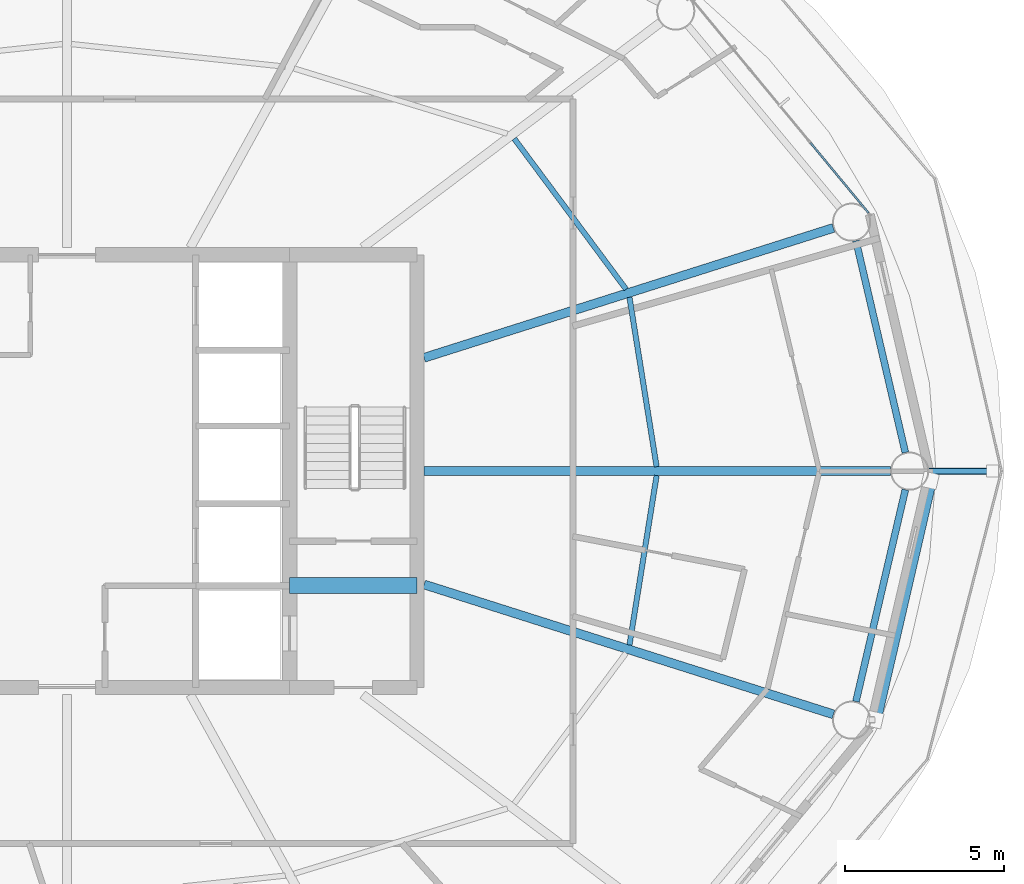
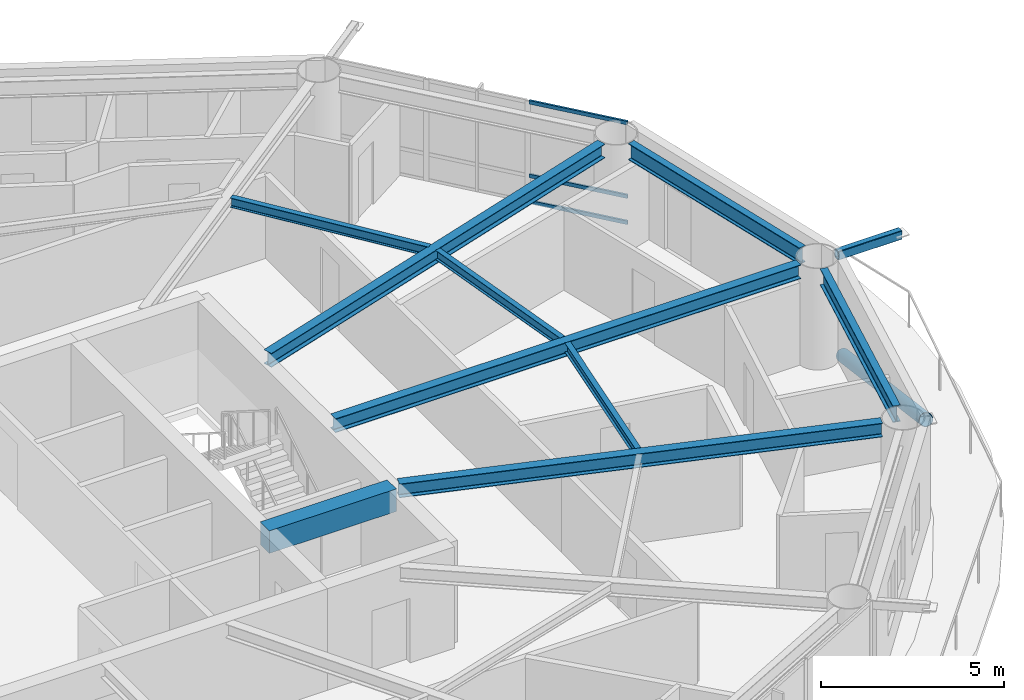
# One storey, part 8 of 27: 9 beams, 5 members, 1 element without a shape of its own.
"""IFC4 building model written with IfcOpenShell, lengths in metres."""

import ifcopenshell
import ifcopenshell.guid

model = None  # the IFC model being written
_history = None  # IfcOwnerHistory: only IFC2X3 demands one
_inside = {}  # id of a spatial element -> (the spatial element, [elements in it])
_under = {}  # id of a project, library or spatial element -> (it, [spatial elements below it])
_declared = {}  # id of a project -> (the project, [libraries it declares])
_typed = {}  # id of a type object -> (the type object, [elements of that type])
_made_of = {}  # id of a material, layer set ... -> (it, [elements and type objects made of it])


def new_model(schema):
    """Start an empty IFC model of exactly this schema.

    Asked for "IFC4X3", IfcOpenShell would pick the latest addendum, in which some entities
    have other attributes; the version numbers below select the first issue.
    IFC2X3 requires an IfcOwnerHistory on every rooted entity: one is made here for all.
    """
    global model, _history
    if schema == "IFC4X3":
        model = ifcopenshell.file(schema_version=(4, 3, 0, 0))
    else:
        model = ifcopenshell.file(schema=schema)
    _inside.clear()
    _under.clear()
    _declared.clear()
    _typed.clear()
    _made_of.clear()
    _history = None
    if model.schema == "IFC2X3":
        org = make("IfcOrganization", Name="unknown")
        user = make(
            "IfcPersonAndOrganization",
            ThePerson=make("IfcPerson", FamilyName="unknown"),
            TheOrganization=org,
        )
        app = make(
            "IfcApplication",
            ApplicationDeveloper=org,
            Version="unknown",
            ApplicationFullName="unknown",
            ApplicationIdentifier="unknown",
        )
        _history = make(
            "IfcOwnerHistory",
            OwningUser=user,
            OwningApplication=app,
            ChangeAction="ADDED",
            CreationDate=0,
        )
    return model


def make(cls, **values):
    """One entity of the class cls with the attributes given. An attribute that is None is left unset."""
    return model.create_entity(
        cls, **{name: value for name, value in values.items() if value is not None}
    )


def rooted(cls, **values):
    """An entity with a GlobalId (a new one), such as an element, a storey or a relation."""
    return make(cls, GlobalId=ifcopenshell.guid.new(), OwnerHistory=_history, **values)


def si_unit(unit_type, name, prefix=None):
    """IfcSIUnit, for example si_unit("LENGTHUNIT", "METRE", prefix="MILLI")."""
    return make("IfcSIUnit", UnitType=unit_type, Prefix=prefix, Name=name)


def assignment(units):
    """IfcUnitAssignment: the units of a project."""
    return None if units is None else make("IfcUnitAssignment", Units=units)


def point(xyz):
    """IfcCartesianPoint."""
    return None if xyz is None else make("IfcCartesianPoint", Coordinates=xyz)


def direction(xyz):
    """IfcDirection."""
    return None if xyz is None else make("IfcDirection", DirectionRatios=xyz)


def frame(location, z_axis=None, x_axis=None):
    """IfcAxis2Placement3D, a coordinate frame: its origin and axes. An axis left out is left unset."""
    return make(
        "IfcAxis2Placement3D",
        Location=point(location),
        Axis=direction(z_axis),
        RefDirection=direction(x_axis),
    )


def frame_2d(location, x_axis=None):
    """IfcAxis2Placement2D, a coordinate frame in the plane: its origin and x axis."""
    return make(
        "IfcAxis2Placement2D", Location=point(location), RefDirection=direction(x_axis)
    )


def origin():
    """The frame at (0, 0, 0) with its axes left unset."""
    return frame((0.0, 0.0, 0.0))


def origin_2d():
    """The frame at (0, 0) in the plane with its x axis left unset."""
    return frame_2d((0.0, 0.0))


def place(relative_to, where):
    """IfcLocalPlacement: puts the frame where relative to a parent placement (None: the world)."""
    return make(
        "IfcLocalPlacement", PlacementRelTo=relative_to, RelativePlacement=where
    )


def context(
    kind, dimensions, precision=None, world=None, true_north=None, identifier=None
):
    """IfcGeometricRepresentationContext, for example the 3D "Model" context."""
    return make(
        "IfcGeometricRepresentationContext",
        ContextIdentifier=identifier,
        ContextType=kind,
        CoordinateSpaceDimension=dimensions,
        Precision=precision,
        WorldCoordinateSystem=world,
        TrueNorth=true_north,
    )


def subcontext(parent, identifier, kind, view, scale=None):
    """IfcGeometricRepresentationSubContext, for example "Body" below "Model"."""
    return make(
        "IfcGeometricRepresentationSubContext",
        ContextIdentifier=identifier,
        ContextType=kind,
        ParentContext=parent,
        TargetScale=scale,
        TargetView=view,
    )


def project(units=None, contexts=None):
    """IfcProject with its units and contexts."""
    return rooted(
        "IfcProject",
        Name="project",
        RepresentationContexts=contexts,
        UnitsInContext=assignment(units),
    )


def spatial(cls, under=None, at=None, **own):
    """A site, building, storey or space (cls), placed at a placement, below another one or the project."""
    s = rooted(cls, ObjectPlacement=at, **own)
    if under is not None:
        _under.setdefault(under.id(), (under, []))[1].append(s)
    return s


def profile(cls, at=None, kind="AREA", **sizes):
    """A parametric profile (cls). Its sizes go by their IFC names, for example OverallWidth=200.0."""
    return make(cls, ProfileType=kind, Position=at, **sizes)


def rectangle(**sizes):
    """IfcRectangleProfileDef."""
    return profile("IfcRectangleProfileDef", **sizes)


def hollow_rectangle(**sizes):
    """IfcRectangleHollowProfileDef."""
    return profile("IfcRectangleHollowProfileDef", **sizes)


def hollow_circle(**sizes):
    """IfcCircleHollowProfileDef."""
    return profile("IfcCircleHollowProfileDef", **sizes)


def i_section(**sizes):
    """IfcIShapeProfileDef."""
    return profile("IfcIShapeProfileDef", **sizes)


def extrude(swept, where, along, depth):
    """IfcExtrudedAreaSolid: the profile swept, set in the frame where, extruded along a direction by depth."""
    return make(
        "IfcExtrudedAreaSolid",
        SweptArea=swept,
        Position=where,
        ExtrudedDirection=direction(along),
        Depth=depth,
    )


def shape(context_of_items, identifier, shape_type, items):
    """IfcShapeRepresentation: the items that make up one representation, for example the "Body"."""
    return make(
        "IfcShapeRepresentation",
        ContextOfItems=context_of_items,
        RepresentationIdentifier=identifier,
        RepresentationType=shape_type,
        Items=items,
    )


def material(Name=None, Category=None):
    """IfcMaterial."""
    return make("IfcMaterial", Name=Name, Category=Category)


def layer(
    of_material, thickness, ventilated=None, Name=None, Category=None, Priority=None
):
    """IfcMaterialLayer: one layer of a wall or slab, of a material (None: an air gap)."""
    return make(
        "IfcMaterialLayer",
        Material=of_material,
        LayerThickness=thickness,
        IsVentilated=ventilated,
        Name=Name,
        Category=Category,
        Priority=Priority,
    )


def layer_set(layers, Name=None):
    """IfcMaterialLayerSet."""
    return make("IfcMaterialLayerSet", MaterialLayers=layers, LayerSetName=Name)


def material_profile(
    of_material, cross_section, Name=None, Category=None, Priority=None
):
    """IfcMaterialProfile: a cross section and its material."""
    return make(
        "IfcMaterialProfile",
        Name=Name,
        Material=of_material,
        Profile=cross_section,
        Priority=Priority,
        Category=Category,
    )


def profile_set(profiles, Name=None, composite=None):
    """IfcMaterialProfileSet."""
    return make(
        "IfcMaterialProfileSet",
        Name=Name,
        MaterialProfiles=profiles,
        CompositeProfile=composite,
    )


def made_of(thing, what):
    """Note that an element or type object is made of a material, layer set ...; save() writes the relation."""
    if what is not None:
        _made_of.setdefault(what.id(), (what, []))[1].append(thing)
    return thing


def type_object(cls, material=None, **own):
    """A type object (cls), such as IfcWallType, which elements share."""
    return made_of(rooted(cls, **own), material)


def element(
    cls,
    number,
    at=None,
    inside=None,
    cuts=None,
    type_object=None,
    material=None,
    context=None,
    identifier="Body",
    shape_type=None,
    held_by="IfcProductDefinitionShape",
    body=None,
    shapes=None,
    **own,
):
    """One element of the class cls, such as IfcWall. Its Tag is "e" and its number.

    at: its placement. inside: the storey or other place that contains it. cuts: it is an
    opening in that element (IfcRelVoidsElement). A single representation is given by context,
    identifier, shape_type and body (its items); several are given by shapes. held_by: the class
    of the entity that holds the representations. save() writes the other relations.
    """
    e = rooted(cls, Tag="e%d" % number, ObjectPlacement=at, **own)
    if body is not None:
        shapes = [shape(context, identifier, shape_type, body)]
    if shapes is not None:
        e.Representation = make(held_by, Representations=shapes)
    if inside is not None:
        _inside.setdefault(inside.id(), (inside, []))[1].append(e)
    if cuts is not None:
        rooted(
            "IfcRelVoidsElement", RelatingBuildingElement=cuts, RelatedOpeningElement=e
        )
    if type_object is not None:
        _typed.setdefault(type_object.id(), (type_object, []))[1].append(e)
    return made_of(e, material)


def aggregate(whole, parts):
    """IfcRelAggregates: a whole, such as a stair, and the parts it consists of."""
    return rooted("IfcRelAggregates", RelatingObject=whole, RelatedObjects=parts)


def save(model, path):
    """Write the relations noted so far, then the file.

    IfcRelAggregates (storeys below a building ...), IfcRelContainedInSpatialStructure (elements
    in a storey), IfcRelDefinesByType, IfcRelAssociatesMaterial and IfcRelDeclares: one each for
    every whole, place, type object, material and project.
    """
    for whole, parts in _under.values():
        aggregate(whole, parts)
    for where, things in _inside.values():
        rooted(
            "IfcRelContainedInSpatialStructure",
            RelatedElements=things,
            RelatingStructure=where,
        )
    for kind, things in _typed.values():
        rooted("IfcRelDefinesByType", RelatedObjects=things, RelatingType=kind)
    for what, things in _made_of.values():
        rooted("IfcRelAssociatesMaterial", RelatedObjects=things, RelatingMaterial=what)
    for by, libraries in _declared.values():
        rooted("IfcRelDeclares", RelatingContext=by, RelatedDefinitions=libraries)
    model.write(path)


model = new_model("IFC4")

# Units and contexts
model_context = context("Model", 3, precision=1e-05, world=origin(), true_north=direction((0.0, 1.0)))
body_context = subcontext(model_context, "Body", "Model", "MODEL_VIEW")
ifc_project = project(units=[si_unit("LENGTHUNIT", "METRE"), si_unit("AREAUNIT", "SQUARE_METRE"), si_unit("VOLUMEUNIT", "CUBIC_METRE"), si_unit("PLANEANGLEUNIT", "RADIAN"), si_unit("MASSUNIT", "GRAM", prefix="KILO")], contexts=[model_context])

# Site, building, storey
site_placement = place(None, origin())
site = spatial("IfcSite", under=ifc_project, at=site_placement, CompositionType="ELEMENT")
building_placement = place(site_placement, origin())
building = spatial("IfcBuilding", under=site, at=building_placement, Name="Sarneth Arch Tower", CompositionType="ELEMENT")
storey_placement = place(building_placement, frame((0.0, 0.0, 186.60009765625)))
storey = spatial("IfcBuildingStorey", under=building, at=storey_placement, Name="L47", CompositionType="ELEMENT", Elevation=186.60009765625)

# Beams
ifc_material_1 = material(Name="Steel S355", Category="steel")
ifc_material_profile_1 = material_profile(ifc_material_1, i_section(OverallWidth=0.1669921875, OverallDepth=0.31689453125, WebThickness=0.007568359375, FlangeThickness=0.01318359375, FilletRadius=0.012939453125, at=origin_2d()), Name="W310x52")
ifc_profile_set_1 = profile_set([ifc_material_profile_1], Name="Steel S355")
beam_type_1 = type_object("IfcBeamType", Name="BM-JOIST-310B", PredefinedType="JOIST", material=ifc_profile_set_1)
beam_1_placement = place(storey_placement, frame((66.533935546875, 42.13818359375, 3.221435546875), z_axis=(-0.158348792374, 0.987383238643, 0.0), x_axis=(-0.987383238643, -0.158348792374, 0.0)))
element("IfcBeam", 1, at=beam_1_placement, inside=storey, type_object=beam_type_1, Name="L47 Secondary floor joist 01", PredefinedType="JOIST", context=body_context, shape_type="SweptSolid", body=[
    extrude(i_section(OverallWidth=0.1669921875, OverallDepth=0.31689453125, WebThickness=0.007568359375, FlangeThickness=0.01318359375, FilletRadius=0.012939453125, at=origin_2d()), origin(), (0.0, 0.0, 1.0), 5.394775390625),
])
beam_2_placement = place(storey_placement, frame((65.57421875, 47.715576171875, 3.221435546875), z_axis=(-0.596190586674, 0.802842938788, 0.0), x_axis=(-0.802842938788, -0.596190586674, 0.0)))
element("IfcBeam", 2, at=beam_2_placement, inside=storey, type_object=beam_type_1, Name="L47 Secondary floor joist 02", PredefinedType="JOIST", context=body_context, shape_type="SweptSolid", body=[
    extrude(i_section(OverallWidth=0.1669921875, OverallDepth=0.31689453125, WebThickness=0.007568359375, FlangeThickness=0.01318359375, FilletRadius=0.012939453125, at=origin_2d()), origin(), (0.0, 0.0, 1.0), 5.896484375),
])
beam_3_placement = place(storey_placement, frame((65.6796875, 36.53515625, 3.221435546875), z_axis=(0.158348792374, 0.987383238643, 0.0), x_axis=(-0.987383238643, 0.158348792374, 0.0)))
element("IfcBeam", 3, at=beam_3_placement, inside=storey, type_object=beam_type_1, Name="L47 Secondary floor joist 16", PredefinedType="JOIST", context=body_context, shape_type="SweptSolid", body=[
    extrude(i_section(OverallWidth=0.1669921875, OverallDepth=0.31689453125, WebThickness=0.007568359375, FlangeThickness=0.01318359375, FilletRadius=0.012939453125, at=origin_2d()), origin(), (0.0, 0.0, 1.0), 5.394775390625),
])
ifc_material_2 = material(Name="Concrete C50/60", Category="concrete")
ifc_material_profile_2 = material_profile(ifc_material_2, rectangle(XDim=0.5, YDim=0.75, at=origin_2d()), Name="RC-500x750")
ifc_profile_set_2 = profile_set([ifc_material_profile_2], Name="Concrete C50/60")
beam_type_2 = type_object("IfcBeamType", Name="BM-LINTEL-RC", PredefinedType="LINTEL", material=ifc_profile_set_2)
beam_4_placement = place(storey_placement, frame((55.0, 38.39990234375, 3.0048828125), z_axis=(1.0, 0.0, 0.0), x_axis=(0.0, 1.0, 0.0)))
element("IfcBeam", 4, at=beam_4_placement, inside=storey, type_object=beam_type_2, Name="L47 Core coupling lintel E", PredefinedType="LINTEL", context=body_context, shape_type="SweptSolid", body=[
    extrude(rectangle(XDim=0.5, YDim=0.75, at=origin_2d()), origin(), (0.0, 0.0, 1.0), 4.0),
])
ifc_material_3 = material(Name="Steel S355", Category="steel")
ifc_material_profile_3 = material_profile(ifc_material_3, i_section(OverallWidth=0.280029296875, OverallDepth=0.462890625, WebThickness=0.0107421875, FlangeThickness=0.017333984375, FilletRadius=0.01806640625, at=origin_2d()), Name="W460x113")
ifc_profile_set_3 = profile_set([ifc_material_profile_3], Name="Steel S355")
beam_type_3 = type_object("IfcBeamType", Name="BM-RAD-460A", PredefinedType="BEAM", material=ifc_profile_set_3)
beam_5_placement = place(storey_placement, frame((59.22509765625, 42.0, 3.1484375), z_axis=(1.0, 0.0, 0.0), x_axis=(0.0, 1.0, 0.0)))
element("IfcBeam", 5, at=beam_5_placement, inside=storey, type_object=beam_type_3, Name="L47 Radial floor girder 01", PredefinedType="BEAM", context=body_context, shape_type="SweptSolid", body=[
    extrude(i_section(OverallWidth=0.280029296875, OverallDepth=0.462890625, WebThickness=0.0107421875, FlangeThickness=0.017333984375, FilletRadius=0.01806640625, at=origin_2d()), origin(), (0.0, 0.0, 1.0), 14.661865234375),
])
for number, where, z_axis, x_axis, name in (
    (6, (59.22509765625, 45.56201171875, 3.1484375), (0.95316541071, 0.30244949963, 0.0), (-0.30244949963, 0.95316541071, 0.0), "L47 Radial floor girder 02"),
    (7, (59.22509765625, 38.43798828125, 3.1484375), (0.95316541071, -0.30244949963, 0.0), (0.30244949963, 0.95316541071, 0.0), "L47 Radial floor girder 16"),
):
    element("IfcBeam", number, at=place(storey_placement, frame(where, z_axis=z_axis, x_axis=x_axis)), inside=storey, type_object=beam_type_3, Name=name, PredefinedType="BEAM", context=body_context, shape_type="SweptSolid", body=[
        extrude(i_section(OverallWidth=0.280029296875, OverallDepth=0.462890625, WebThickness=0.0107421875, FlangeThickness=0.017333984375, FilletRadius=0.01806640625, at=origin_2d()), origin(), (0.0, 0.0, 1.0), 13.497314453125),
    ])
ifc_material_4 = material(Name="Steel S355", Category="steel")
ifc_material_profile_4 = material_profile(ifc_material_4, i_section(OverallWidth=0.214111328125, OverallDepth=0.549072265625, WebThickness=0.0146484375, FlangeThickness=0.023681640625, FilletRadius=0.01806640625, at=origin_2d()), Name="W530x138")
ifc_profile_set_4 = profile_set([ifc_material_profile_4], Name="Steel S355")
beam_type_4 = type_object("IfcBeamType", Name="BM-RAD-530A", PredefinedType="BEAM", material=ifc_profile_set_4)
for number, where, z_axis, x_axis, name in (
    (8, (74.350830078125, 42.584228515625, 3.10546875), (-0.227109937572, 0.973869126863, 0.0), (-0.973869126863, -0.227109937572, 0.0), "L47 Perimeter spandrel beam 01"),
    (9, (72.79833984375, 34.758544921875, 3.10546875), (0.227109937572, 0.973869126863, 0.0), (-0.973869126863, 0.227109937572, 0.0), "L47 Perimeter spandrel beam 16"),
):
    element("IfcBeam", number, at=place(storey_placement, frame(where, z_axis=z_axis, x_axis=x_axis)), inside=storey, type_object=beam_type_4, Name=name, PredefinedType="BEAM", context=body_context, shape_type="SweptSolid", body=[
        extrude(i_section(OverallWidth=0.214111328125, OverallDepth=0.549072265625, WebThickness=0.0146484375, FlangeThickness=0.023681640625, FilletRadius=0.01806640625, at=origin_2d()), origin(), (0.0, 0.0, 1.0), 6.8359375),
    ])

# Curtain wall, members
ifc_material_5 = material(Name="Anodised aluminium Type AA25 and solar-control low-e laminated IGU", Category="aluminium")
ifc_layer = layer(ifc_material_5, 0.169921875)
ifc_layer_set = layer_set([ifc_layer], Name="Anodised aluminium Type AA25 and solar-control low-e laminated IGU")
curtain_wall_type = type_object("IfcCurtainWallType", Name="CW-RES-MID", PredefinedType="NOTDEFINED", material=ifc_layer_set)
curtain_wall_placement = place(storey_placement, origin())
curtain_wall = element("IfcCurtainWall", 10, at=curtain_wall_placement, inside=storey, type_object=curtain_wall_type, Name="L47 Unitised curtain wall facet 02", PredefinedType="NOTDEFINED")
ifc_material_6 = material(Name="Anodised Aluminium 6063-T6", Category="aluminium")
ifc_material_profile_5 = material_profile(ifc_material_6, hollow_rectangle(XDim=0.06005859375, YDim=0.1201171875, WallThickness=0.00390625, at=origin_2d()), Name="AL-TRAN-120x60x4")
ifc_profile_set_5 = profile_set([ifc_material_profile_5], Name="Anodised Aluminium 6063-T6")
member_type_1 = type_object("IfcMemberType", Name="CW-TRANSOM", PredefinedType="USERDEFINED", material=ifc_profile_set_5)
member_1_placement = place(storey_placement, frame((73.194091796875, 50.11328125, 0.02978515625), z_axis=(-0.637358651504, 0.770567290607, 0.0), x_axis=(-0.770567290607, -0.637358651504, 0.0)))
member_1 = element("IfcMember", 11, at=member_1_placement, type_object=member_type_1, Name="CW-SYS-5 transom 1.1", ObjectType="TRANSOM", PredefinedType="USERDEFINED", context=body_context, shape_type="SweptSolid", body=[
    extrude(hollow_rectangle(XDim=0.06005859375, YDim=0.1201171875, WallThickness=0.00390625, at=origin_2d()), origin(), (0.0, 0.0, 1.0), 2.8681640625),
])
member_2_placement = place(storey_placement, frame((73.194091796875, 50.11328125, 0.89990234375), z_axis=(-0.637358651504, 0.770567290607, 0.0), x_axis=(-0.770567290607, -0.637358651504, 0.0)))
member_2 = element("IfcMember", 12, at=member_2_placement, type_object=member_type_1, Name="CW-SYS-5 transom 1.2", ObjectType="TRANSOM", PredefinedType="USERDEFINED", context=body_context, shape_type="SweptSolid", body=[
    extrude(hollow_rectangle(XDim=0.06005859375, YDim=0.1201171875, WallThickness=0.00390625, at=origin_2d()), origin(), (0.0, 0.0, 1.0), 2.8681640625),
])
member_3_placement = place(storey_placement, frame((73.194091796875, 50.11328125, 3.349853515625), z_axis=(-0.637358651504, 0.770567290607, 0.0), x_axis=(-0.770567290607, -0.637358651504, 0.0)))
member_3 = element("IfcMember", 13, at=member_3_placement, type_object=member_type_1, Name="CW-SYS-5 transom 1.3", ObjectType="TRANSOM", PredefinedType="USERDEFINED", context=body_context, shape_type="SweptSolid", body=[
    extrude(hollow_rectangle(XDim=0.06005859375, YDim=0.1201171875, WallThickness=0.00390625, at=origin_2d()), origin(), (0.0, 0.0, 1.0), 2.8681640625),
])
aggregate(curtain_wall, [member_1, member_2, member_3])

# Members
ifc_material_7 = material(Name="Steel S355", Category="steel")
ifc_material_profile_6 = material_profile(ifc_material_7, hollow_rectangle(XDim=0.199951171875, YDim=0.300048828125, WallThickness=0.012451171875, InnerFilletRadius=0.018798828125, OuterFilletRadius=0.03125, at=origin_2d()), Name="RHS300x200x12.5")
ifc_profile_set_6 = profile_set([ifc_material_profile_6], Name="Steel S355")
member_type_2 = type_object("IfcMemberType", Name="MEM-CANT-STRUT", PredefinedType="STRUT", material=ifc_profile_set_6)
member_4_placement = place(storey_placement, frame((75.0869140625, 42.0, 3.219970703125), z_axis=(1.0, 0.0, 0.0), x_axis=(0.0, 1.0, 0.0)))
element("IfcMember", 14, at=member_4_placement, inside=storey, type_object=member_type_2, Name="L47 Balcony cantilever bracket 01", PredefinedType="STRUT", context=body_context, shape_type="SweptSolid", body=[
    extrude(hollow_rectangle(XDim=0.199951171875, YDim=0.300048828125, WallThickness=0.012451171875, InnerFilletRadius=0.018798828125, OuterFilletRadius=0.03125, at=origin_2d()), origin(), (0.0, 0.0, 1.0), 2.003173828125),
])
ifc_material_8 = material(Name="Steel S355", Category="steel")
ifc_material_profile_7 = material_profile(ifc_material_8, hollow_circle(Radius=0.202880859375, WallThickness=0.01611328125, at=origin_2d()), Name="CHS406x16")
ifc_profile_set_7 = profile_set([ifc_material_profile_7], Name="Steel S355")
member_type_3 = type_object("IfcMemberType", Name="MEM-DIAG-BR2", PredefinedType="BRACE", material=ifc_profile_set_7)
member_5_placement = place(storey_placement, frame((75.12890625, 41.707763671875, 0.02001953125), z_axis=(-0.209646277215, -0.90691666474, 0.365445757488), x_axis=(0.974306903917, -0.225224459107, 0.0)))
element("IfcMember", 15, at=member_5_placement, inside=storey, type_object=member_type_3, Name="L47 Perimeter frame diagonal 16", PredefinedType="BRACE", context=body_context, shape_type="SweptSolid", body=[
    extrude(hollow_circle(Radius=0.202880859375, WallThickness=0.01611328125, at=origin_2d()), origin(), (0.0, 0.0, 1.0), 8.292724609375),
])

save(model, "model.ifc")
